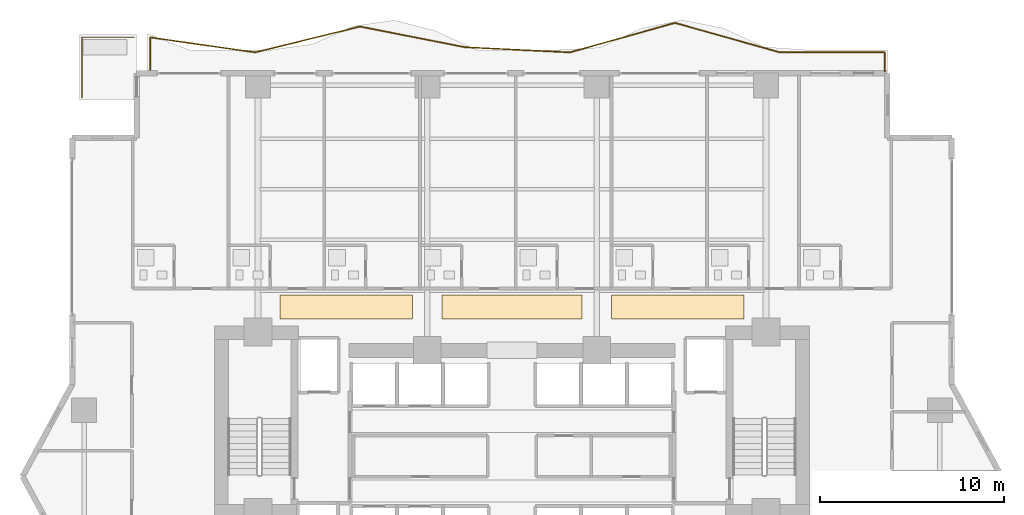
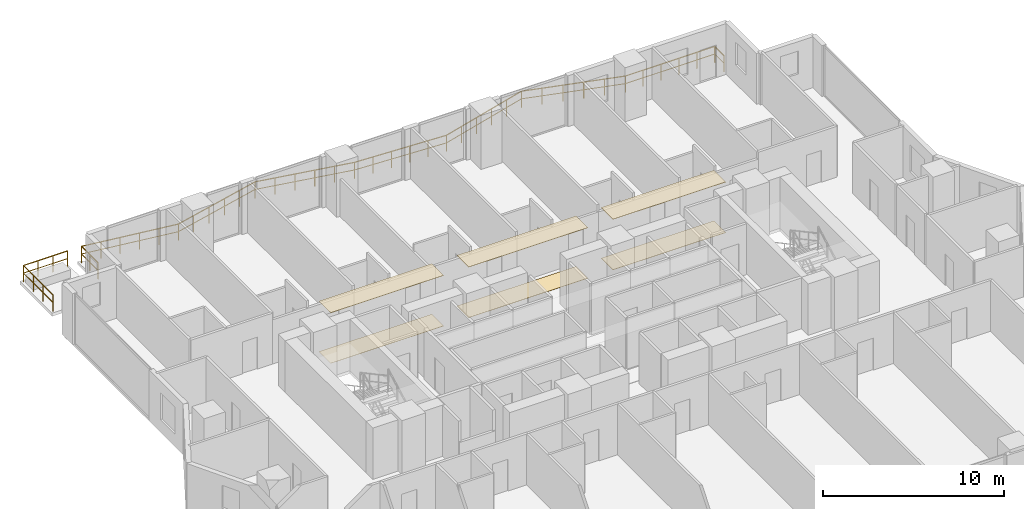
# One storey, part 28 of 29: 6 coverings, 2 railings.
"""IFC4 building model written with IfcOpenShell, lengths in metres."""

from ifc_helpers import new_model, si_unit, direction, frame, origin, origin_2d, place, context, subcontext, project, spatial, polyline, rectangle, outline, extrude, material, layer, layer_set, type_object, element, save


model = new_model("IFC4")

# Units and contexts
model_context = context("Model", 3, precision=1e-05, world=origin(), true_north=direction((0.0, 1.0)))
body_context = subcontext(model_context, "Body", "Model", "MODEL_VIEW")
ifc_project = project(units=[si_unit("LENGTHUNIT", "METRE"), si_unit("AREAUNIT", "SQUARE_METRE"), si_unit("VOLUMEUNIT", "CUBIC_METRE"), si_unit("PLANEANGLEUNIT", "RADIAN"), si_unit("MASSUNIT", "GRAM", prefix="KILO")], contexts=[model_context])

# Site, building, storey
site_placement = place(None, origin())
site = spatial("IfcSite", under=ifc_project, at=site_placement, CompositionType="ELEMENT")
building_placement = place(site_placement, origin())
building = spatial("IfcBuilding", under=site, at=building_placement, Name="Zuhayl Quay Hotel", CompositionType="ELEMENT")
storey_placement = place(building_placement, frame((0.0, 0.0, 150.39990234375)))
storey = spatial("IfcBuildingStorey", under=building, at=storey_placement, Name="L38", CompositionType="ELEMENT", Elevation=150.39990234375)

# Coverings
ifc_material_1 = material(Name="Acoustic Mineral-Fibre Gypsum Board")
ifc_layer_1 = layer(ifc_material_1, 0.02490234375, Name="Acoustic Mineral-Fibre Gypsum Board")
ifc_layer_set_1 = layer_set([ifc_layer_1], Name="Acoustic Mineral-Fibre Gypsum Board")
covering_type_1 = type_object("IfcCoveringType", Name="CV_CEIL_ACOUSTIC", PredefinedType="CEILING", material=ifc_layer_set_1)
covering_1_placement = place(storey_placement, frame((0.0, 0.0, 3.405029296875)))
element("IfcCovering", 1, at=covering_1_placement, inside=storey, type_object=covering_type_1, Name="L38 Guest Corridor Acoustic Ceiling CW", PredefinedType="CEILING", context=body_context, shape_type="SweptSolid", body=[
    extrude(outline(polyline([(-12.60009765625, 15.050048828125), (-5.39990234375, 15.050048828125), (-5.39990234375, 16.35009765625), (-12.60009765625, 16.35009765625), (-12.60009765625, 15.050048828125)])), origin(), (0.0, 0.0, 1.0), 0.025146484375),
])
covering_2_placement = place(storey_placement, frame((0.0, 0.0, 3.405029296875)))
element("IfcCovering", 2, at=covering_2_placement, inside=storey, type_object=covering_type_1, Name="L38 Guest Corridor Acoustic Ceiling CC", PredefinedType="CEILING", context=body_context, shape_type="SweptSolid", body=[
    extrude(outline(polyline([(-3.800048828125, 15.050048828125), (3.800048828125, 15.050048828125), (3.800048828125, 16.35009765625), (-3.800048828125, 16.35009765625), (-3.800048828125, 15.050048828125)])), origin(), (0.0, 0.0, 1.0), 0.025146484375),
])
covering_3_placement = place(storey_placement, frame((0.0, 0.0, 3.405029296875)))
element("IfcCovering", 3, at=covering_3_placement, inside=storey, type_object=covering_type_1, Name="L38 Guest Corridor Acoustic Ceiling CE", PredefinedType="CEILING", context=body_context, shape_type="SweptSolid", body=[
    extrude(outline(polyline([(5.39990234375, 15.050048828125), (12.60009765625, 15.050048828125), (12.60009765625, 16.35009765625), (5.39990234375, 16.35009765625), (5.39990234375, 15.050048828125)])), origin(), (0.0, 0.0, 1.0), 0.025146484375),
])
ifc_material_2 = material(Name="Polished Limestone Terrazzo", Category="masonry")
ifc_layer_2 = layer(ifc_material_2, 0.02001953125, Name="Polished Limestone Terrazzo", Category="masonry")
ifc_layer_set_2 = layer_set([ifc_layer_2], Name="Polished Limestone Terrazzo")
covering_type_2 = type_object("IfcCoveringType", Name="CV_FLOOR_TERRAZZO", PredefinedType="FLOORING", material=ifc_layer_set_2)
covering_4_placement = place(storey_placement, origin())
element("IfcCovering", 4, at=covering_4_placement, inside=storey, type_object=covering_type_2, Name="L38 Guest Corridor Terrazzo Runner CW", PredefinedType="FLOORING", context=body_context, shape_type="SweptSolid", body=[
    extrude(outline(polyline([(-12.60009765625, 15.050048828125), (-5.39990234375, 15.050048828125), (-5.39990234375, 16.35009765625), (-12.60009765625, 16.35009765625), (-12.60009765625, 15.050048828125)])), origin(), (0.0, 0.0, 1.0), 0.02001953125),
])
covering_5_placement = place(storey_placement, origin())
element("IfcCovering", 5, at=covering_5_placement, inside=storey, type_object=covering_type_2, Name="L38 Guest Corridor Terrazzo Runner CC", PredefinedType="FLOORING", context=body_context, shape_type="SweptSolid", body=[
    extrude(outline(polyline([(-3.800048828125, 15.050048828125), (3.800048828125, 15.050048828125), (3.800048828125, 16.35009765625), (-3.800048828125, 16.35009765625), (-3.800048828125, 15.050048828125)])), origin(), (0.0, 0.0, 1.0), 0.02001953125),
])
covering_6_placement = place(storey_placement, origin())
element("IfcCovering", 6, at=covering_6_placement, inside=storey, type_object=covering_type_2, Name="L38 Guest Corridor Terrazzo Runner CE", PredefinedType="FLOORING", context=body_context, shape_type="SweptSolid", body=[
    extrude(outline(polyline([(5.39990234375, 15.050048828125), (12.60009765625, 15.050048828125), (12.60009765625, 16.35009765625), (5.39990234375, 16.35009765625), (5.39990234375, 15.050048828125)])), origin(), (0.0, 0.0, 1.0), 0.02001953125),
])

# Railings
ifc_material_3 = material(Name="Anodised Aluminium and Laminated Glass", Category="aluminium")
railing_type = type_object("IfcRailingType", Name="RL_EXT_BAL_1100", PredefinedType="BALUSTRADE", material=ifc_material_3)
railing_1_placement = place(storey_placement, frame((-19.659912109375, 28.52001953125, 0.0)))
element("IfcRailing", 7, at=railing_1_placement, inside=storey, type_object=railing_type, Name="L38 Balcony and Terrace Guard GR_L38_BAL_N", PredefinedType="BALUSTRADE", context=body_context, shape_type="SweptSolid", body=[
    extrude(rectangle(XDim=0.048095703125, YDim=0.048095703125, at=origin_2d()), frame((0.0, 0.0, 1.09619140625), z_axis=(0.0, 1.0, 0.0), x_axis=(-1.0, 0.0, 0.0)), (0.0, 0.0, 1.0), 1.8349609375),
    extrude(rectangle(XDim=0.0361328125, YDim=0.0361328125, at=origin_2d()), frame((0.0, 0.0, 0.58251953125), z_axis=(0.0, 1.0, 0.0), x_axis=(-1.0, 0.0, 0.0)), (0.0, 0.0, 1.0), 1.8349609375),
    extrude(rectangle(XDim=0.048095703125, YDim=0.048095703125, at=origin_2d()), frame((0.0, 1.8349609375, 1.09619140625), z_axis=(0.989943559655, -0.141462888057, 0.0), x_axis=(0.141462888057, 0.989943559655, 0.0)), (0.0, 0.0, 1.0), 5.7607421875),
    extrude(rectangle(XDim=0.0361328125, YDim=0.0361328125, at=origin_2d()), frame((0.0, 1.8349609375, 0.58251953125), z_axis=(0.989943559655, -0.141462888057, 0.0), x_axis=(0.141462888057, 0.989943559655, 0.0)), (0.0, 0.0, 1.0), 5.7607421875),
    extrude(rectangle(XDim=0.048095703125, YDim=0.048095703125, at=origin_2d()), frame((5.702880859375, 1.02001953125, 1.09619140625), z_axis=(0.97102126132, 0.23899311719, 0.0), x_axis=(-0.23899311719, 0.97102126132, 0.0)), (0.0, 0.0, 1.0), 5.872802734375),
    extrude(rectangle(XDim=0.0361328125, YDim=0.0361328125, at=origin_2d()), frame((5.702880859375, 1.02001953125, 0.58251953125), z_axis=(0.97102126132, 0.23899311719, 0.0), x_axis=(-0.23899311719, 0.97102126132, 0.0)), (0.0, 0.0, 1.0), 5.872802734375),
    extrude(rectangle(XDim=0.048095703125, YDim=0.048095703125, at=origin_2d()), frame((11.405517578125, 2.423583984375, 1.09619140625), z_axis=(0.981164319252, -0.19317499483, 0.0), x_axis=(0.19317499483, 0.981164319252, 0.0)), (0.0, 0.0, 1.0), 5.812255859375),
    extrude(rectangle(XDim=0.0361328125, YDim=0.0361328125, at=origin_2d()), frame((11.405517578125, 2.423583984375, 0.58251953125), z_axis=(0.981164319252, -0.19317499483, 0.0), x_axis=(0.19317499483, 0.981164319252, 0.0)), (0.0, 0.0, 1.0), 5.812255859375),
    extrude(rectangle(XDim=0.048095703125, YDim=0.048095703125, at=origin_2d()), frame((17.1083984375, 1.30078125, 1.09619140625), z_axis=(0.998790325286, -0.049172005397, 0.0), x_axis=(0.049172005397, 0.998790325286, 0.0)), (0.0, 0.0, 1.0), 5.709716796875),
    extrude(rectangle(XDim=0.0361328125, YDim=0.0361328125, at=origin_2d()), frame((17.1083984375, 1.30078125, 0.58251953125), z_axis=(0.998790325286, -0.049172005397, 0.0), x_axis=(0.049172005397, 0.998790325286, 0.0)), (0.0, 0.0, 1.0), 5.709716796875),
    extrude(rectangle(XDim=0.048095703125, YDim=0.048095703125, at=origin_2d()), frame((22.811279296875, 1.02001953125, 1.09619140625), z_axis=(0.962669399367, 0.270679935573, 0.0), x_axis=(-0.270679935573, 0.962669399367, 0.0)), (0.0, 0.0, 1.0), 5.924072265625),
    extrude(rectangle(XDim=0.0361328125, YDim=0.0361328125, at=origin_2d()), frame((22.811279296875, 1.02001953125, 0.58251953125), z_axis=(0.962669399367, 0.270679935573, 0.0), x_axis=(-0.270679935573, 0.962669399367, 0.0)), (0.0, 0.0, 1.0), 5.924072265625),
    extrude(rectangle(XDim=0.048095703125, YDim=0.048095703125, at=origin_2d()), frame((28.51416015625, 2.62353515625, 1.09619140625), z_axis=(0.962669399367, -0.270679935573, 0.0), x_axis=(0.270679935573, 0.962669399367, 0.0)), (0.0, 0.0, 1.0), 5.924072265625),
    extrude(rectangle(XDim=0.0361328125, YDim=0.0361328125, at=origin_2d()), frame((28.51416015625, 2.62353515625, 0.58251953125), z_axis=(0.962669399367, -0.270679935573, 0.0), x_axis=(0.270679935573, 0.962669399367, 0.0)), (0.0, 0.0, 1.0), 5.924072265625),
    extrude(rectangle(XDim=0.048095703125, YDim=0.048095703125, at=origin_2d()), frame((34.217041015625, 1.02001953125, 1.09619140625), z_axis=(1.0, 0.0, 0.0), x_axis=(0.0, 1.0, 0.0)), (0.0, 0.0, 1.0), 5.702880859375),
    extrude(rectangle(XDim=0.0361328125, YDim=0.0361328125, at=origin_2d()), frame((34.217041015625, 1.02001953125, 0.58251953125), z_axis=(1.0, 0.0, 0.0), x_axis=(0.0, 1.0, 0.0)), (0.0, 0.0, 1.0), 5.702880859375),
    extrude(rectangle(XDim=0.048095703125, YDim=0.048095703125, at=origin_2d()), frame((39.919921875, 1.02001953125, 1.09619140625), z_axis=(0.0, -1.0, 0.0), x_axis=(1.0, 0.0, 0.0)), (0.0, 0.0, 1.0), 1.02001953125),
    extrude(rectangle(XDim=0.0361328125, YDim=0.0361328125, at=origin_2d()), frame((39.919921875, 1.02001953125, 0.58251953125), z_axis=(0.0, -1.0, 0.0), x_axis=(1.0, 0.0, 0.0)), (0.0, 0.0, 1.0), 1.02001953125),
    extrude(rectangle(XDim=0.0419921875, YDim=0.0419921875, at=origin_2d()), origin(), (0.0, 0.0, 1.0), 1.072021484375),
    extrude(rectangle(XDim=0.0419921875, YDim=0.0419921875, at=origin_2d()), frame((0.0, 0.91748046875, 0.0)), (0.0, 0.0, 1.0), 1.072021484375),
    extrude(rectangle(XDim=0.0419921875, YDim=0.0419921875, at=origin_2d()), frame((0.0, 1.8349609375, 0.0)), (0.0, 0.0, 1.0), 1.072021484375),
    extrude(rectangle(XDim=0.0419921875, YDim=0.0419921875, at=origin_2d()), frame((1.140625, 1.671875, 0.0)), (0.0, 0.0, 1.0), 1.072021484375),
    extrude(rectangle(XDim=0.0419921875, YDim=0.0419921875, at=origin_2d()), frame((2.28125, 1.509033203125, 0.0)), (0.0, 0.0, 1.0), 1.072021484375),
    extrude(rectangle(XDim=0.0419921875, YDim=0.0419921875, at=origin_2d()), frame((3.421630859375, 1.345947265625, 0.0)), (0.0, 0.0, 1.0), 1.072021484375),
    extrude(rectangle(XDim=0.0419921875, YDim=0.0419921875, at=origin_2d()), frame((4.562255859375, 1.18310546875, 0.0)), (0.0, 0.0, 1.0), 1.072021484375),
    extrude(rectangle(XDim=0.0419921875, YDim=0.0419921875, at=origin_2d()), frame((5.702880859375, 1.02001953125, 0.0)), (0.0, 0.0, 1.0), 1.072021484375),
    extrude(rectangle(XDim=0.0419921875, YDim=0.0419921875, at=origin_2d()), frame((6.843505859375, 1.30078125, 0.0)), (0.0, 0.0, 1.0), 1.072021484375),
    extrude(rectangle(XDim=0.0419921875, YDim=0.0419921875, at=origin_2d()), frame((7.98388671875, 1.58154296875, 0.0)), (0.0, 0.0, 1.0), 1.072021484375),
    extrude(rectangle(XDim=0.0419921875, YDim=0.0419921875, at=origin_2d()), frame((9.12451171875, 1.862060546875, 0.0)), (0.0, 0.0, 1.0), 1.072021484375),
    extrude(rectangle(XDim=0.0419921875, YDim=0.0419921875, at=origin_2d()), frame((10.264892578125, 2.142822265625, 0.0)), (0.0, 0.0, 1.0), 1.072021484375),
    extrude(rectangle(XDim=0.0419921875, YDim=0.0419921875, at=origin_2d()), frame((11.405517578125, 2.423583984375, 0.0)), (0.0, 0.0, 1.0), 1.072021484375),
    extrude(rectangle(XDim=0.0419921875, YDim=0.0419921875, at=origin_2d()), frame((12.546142578125, 2.198974609375, 0.0)), (0.0, 0.0, 1.0), 1.072021484375),
    extrude(rectangle(XDim=0.0419921875, YDim=0.0419921875, at=origin_2d()), frame((13.686767578125, 1.974365234375, 0.0)), (0.0, 0.0, 1.0), 1.072021484375),
    extrude(rectangle(XDim=0.0419921875, YDim=0.0419921875, at=origin_2d()), frame((14.8271484375, 1.75, 0.0)), (0.0, 0.0, 1.0), 1.072021484375),
    extrude(rectangle(XDim=0.0419921875, YDim=0.0419921875, at=origin_2d()), frame((15.9677734375, 1.525390625, 0.0)), (0.0, 0.0, 1.0), 1.072021484375),
    extrude(rectangle(XDim=0.0419921875, YDim=0.0419921875, at=origin_2d()), frame((17.1083984375, 1.30078125, 0.0)), (0.0, 0.0, 1.0), 1.072021484375),
    extrude(rectangle(XDim=0.0419921875, YDim=0.0419921875, at=origin_2d()), frame((18.2490234375, 1.24462890625, 0.0)), (0.0, 0.0, 1.0), 1.072021484375),
    extrude(rectangle(XDim=0.0419921875, YDim=0.0419921875, at=origin_2d()), frame((19.3896484375, 1.1884765625, 0.0)), (0.0, 0.0, 1.0), 1.072021484375),
    extrude(rectangle(XDim=0.0419921875, YDim=0.0419921875, at=origin_2d()), frame((20.530029296875, 1.13232421875, 0.0)), (0.0, 0.0, 1.0), 1.072021484375),
    extrude(rectangle(XDim=0.0419921875, YDim=0.0419921875, at=origin_2d()), frame((21.670654296875, 1.076171875, 0.0)), (0.0, 0.0, 1.0), 1.072021484375),
    extrude(rectangle(XDim=0.0419921875, YDim=0.0419921875, at=origin_2d()), frame((22.811279296875, 1.02001953125, 0.0)), (0.0, 0.0, 1.0), 1.072021484375),
    extrude(rectangle(XDim=0.0419921875, YDim=0.0419921875, at=origin_2d()), frame((23.951904296875, 1.3408203125, 0.0)), (0.0, 0.0, 1.0), 1.072021484375),
    extrude(rectangle(XDim=0.0419921875, YDim=0.0419921875, at=origin_2d()), frame((25.092529296875, 1.661376953125, 0.0)), (0.0, 0.0, 1.0), 1.072021484375),
    extrude(rectangle(XDim=0.0419921875, YDim=0.0419921875, at=origin_2d()), frame((26.23291015625, 1.982177734375, 0.0)), (0.0, 0.0, 1.0), 1.072021484375),
    extrude(rectangle(XDim=0.0419921875, YDim=0.0419921875, at=origin_2d()), frame((27.37353515625, 2.302734375, 0.0)), (0.0, 0.0, 1.0), 1.072021484375),
    extrude(rectangle(XDim=0.0419921875, YDim=0.0419921875, at=origin_2d()), frame((28.51416015625, 2.62353515625, 0.0)), (0.0, 0.0, 1.0), 1.072021484375),
    extrude(rectangle(XDim=0.0419921875, YDim=0.0419921875, at=origin_2d()), frame((29.65478515625, 2.302734375, 0.0)), (0.0, 0.0, 1.0), 1.072021484375),
    extrude(rectangle(XDim=0.0419921875, YDim=0.0419921875, at=origin_2d()), frame((30.79541015625, 1.982177734375, 0.0)), (0.0, 0.0, 1.0), 1.072021484375),
    extrude(rectangle(XDim=0.0419921875, YDim=0.0419921875, at=origin_2d()), frame((31.935791015625, 1.661376953125, 0.0)), (0.0, 0.0, 1.0), 1.072021484375),
    extrude(rectangle(XDim=0.0419921875, YDim=0.0419921875, at=origin_2d()), frame((33.076416015625, 1.3408203125, 0.0)), (0.0, 0.0, 1.0), 1.072021484375),
    extrude(rectangle(XDim=0.0419921875, YDim=0.0419921875, at=origin_2d()), frame((34.217041015625, 1.02001953125, 0.0)), (0.0, 0.0, 1.0), 1.072021484375),
    extrude(rectangle(XDim=0.0419921875, YDim=0.0419921875, at=origin_2d()), frame((35.357666015625, 1.02001953125, 0.0)), (0.0, 0.0, 1.0), 1.072021484375),
    extrude(rectangle(XDim=0.0419921875, YDim=0.0419921875, at=origin_2d()), frame((36.498291015625, 1.02001953125, 0.0)), (0.0, 0.0, 1.0), 1.072021484375),
    extrude(rectangle(XDim=0.0419921875, YDim=0.0419921875, at=origin_2d()), frame((37.638671875, 1.02001953125, 0.0)), (0.0, 0.0, 1.0), 1.072021484375),
    extrude(rectangle(XDim=0.0419921875, YDim=0.0419921875, at=origin_2d()), frame((38.779296875, 1.02001953125, 0.0)), (0.0, 0.0, 1.0), 1.072021484375),
    extrude(rectangle(XDim=0.0419921875, YDim=0.0419921875, at=origin_2d()), frame((39.919921875, 1.02001953125, 0.0)), (0.0, 0.0, 1.0), 1.072021484375),
    extrude(rectangle(XDim=0.0419921875, YDim=0.0419921875, at=origin_2d()), frame((39.919921875, 0.0, 0.0)), (0.0, 0.0, 1.0), 1.072021484375),
])
railing_2_placement = place(storey_placement, frame((-20.5400390625, 30.360107421875, 0.0)))
element("IfcRailing", 8, at=railing_2_placement, inside=storey, type_object=railing_type, Name="L38 Balcony and Terrace Guard GR_L38_SPIRAL_NW", PredefinedType="BALUSTRADE", context=body_context, shape_type="SweptSolid", body=[
    extrude(rectangle(XDim=0.048095703125, YDim=0.048095703125, at=origin_2d()), frame((0.0, 0.0, 1.09619140625), z_axis=(-1.0, 0.0, 0.0), x_axis=(0.0, -1.0, 0.0)), (0.0, 0.0, 1.0), 2.820068359375),
    extrude(rectangle(XDim=0.0361328125, YDim=0.0361328125, at=origin_2d()), frame((0.0, 0.0, 0.58251953125), z_axis=(-1.0, 0.0, 0.0), x_axis=(0.0, -1.0, 0.0)), (0.0, 0.0, 1.0), 2.820068359375),
    extrude(rectangle(XDim=0.048095703125, YDim=0.048095703125, at=origin_2d()), frame((-2.820068359375, 0.0, 1.09619140625), z_axis=(0.0, -1.0, 0.0), x_axis=(1.0, 0.0, 0.0)), (0.0, 0.0, 1.0), 3.27001953125),
    extrude(rectangle(XDim=0.0361328125, YDim=0.0361328125, at=origin_2d()), frame((-2.820068359375, 0.0, 0.58251953125), z_axis=(0.0, -1.0, 0.0), x_axis=(1.0, 0.0, 0.0)), (0.0, 0.0, 1.0), 3.27001953125),
    extrude(rectangle(XDim=0.0419921875, YDim=0.0419921875, at=origin_2d()), origin(), (0.0, 0.0, 1.0), 1.072021484375),
    extrude(rectangle(XDim=0.0419921875, YDim=0.0419921875, at=origin_2d()), frame((-0.93994140625, 0.0, 0.0)), (0.0, 0.0, 1.0), 1.072021484375),
    extrude(rectangle(XDim=0.0419921875, YDim=0.0419921875, at=origin_2d()), frame((-1.880126953125, 0.0, 0.0)), (0.0, 0.0, 1.0), 1.072021484375),
    extrude(rectangle(XDim=0.0419921875, YDim=0.0419921875, at=origin_2d()), frame((-2.820068359375, 0.0, 0.0)), (0.0, 0.0, 1.0), 1.072021484375),
    extrude(rectangle(XDim=0.0419921875, YDim=0.0419921875, at=origin_2d()), frame((-2.820068359375, -1.090087890625, 0.0)), (0.0, 0.0, 1.0), 1.072021484375),
    extrude(rectangle(XDim=0.0419921875, YDim=0.0419921875, at=origin_2d()), frame((-2.820068359375, -2.179931640625, 0.0)), (0.0, 0.0, 1.0), 1.072021484375),
    extrude(rectangle(XDim=0.0419921875, YDim=0.0419921875, at=origin_2d()), frame((-2.820068359375, -3.27001953125, 0.0)), (0.0, 0.0, 1.0), 1.072021484375),
])

save(model, "model.ifc")
